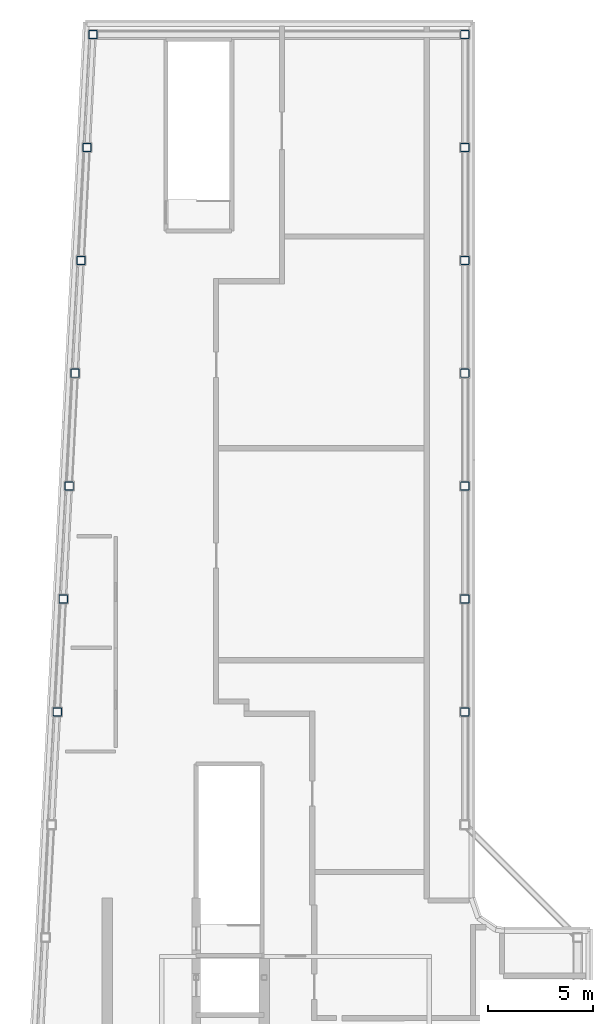
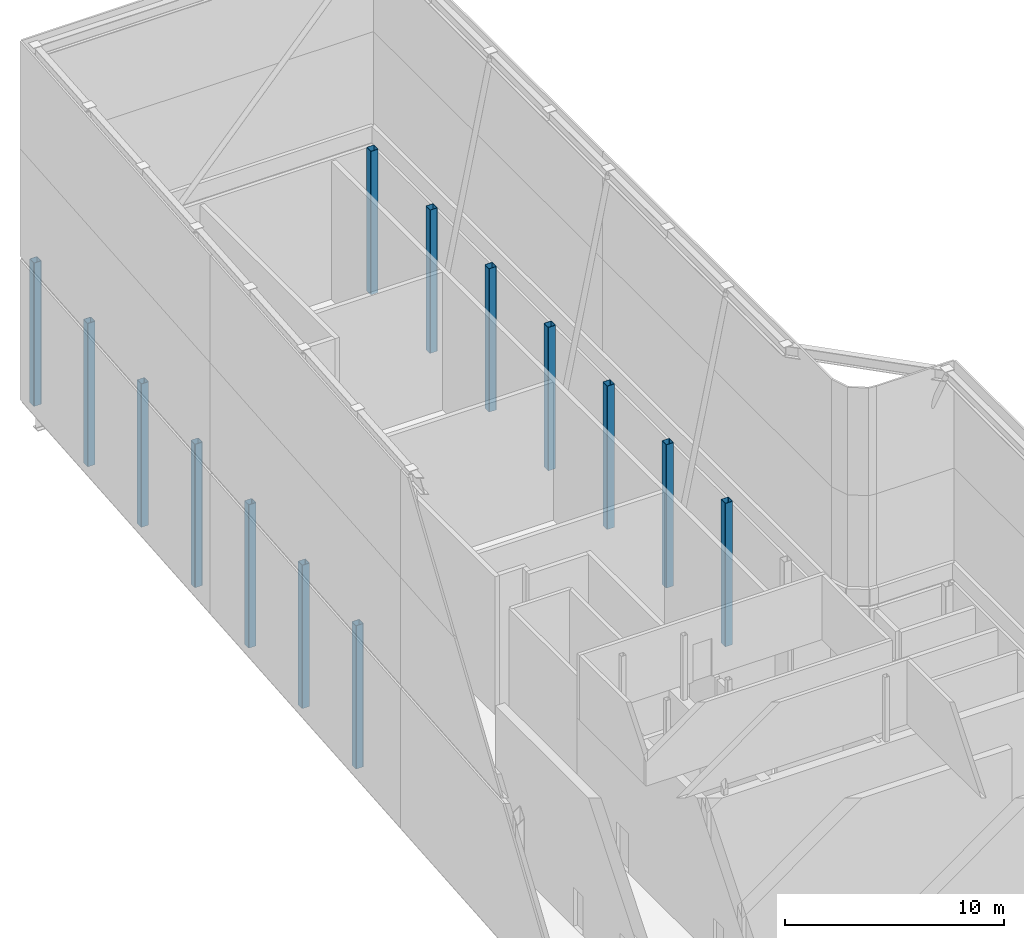
# One storey, part 2 of 7: 14 columns.
"""IFC4 building model written with IfcOpenShell, lengths in metres."""

from ifc_helpers import new_model, si_unit, direction, frame, origin, origin_2d, place, context, subcontext, project, spatial, hollow_rectangle, extrude, material, material_profile, profile_set, type_object, element, save


model = new_model("IFC4")

# Units and contexts
model_context = context("Model", 3, precision=1e-05, world=origin(), true_north=direction((0.0, 1.0)))
body_context = subcontext(model_context, "Body", "Model", "MODEL_VIEW")
ifc_project = project(units=[si_unit("LENGTHUNIT", "METRE"), si_unit("AREAUNIT", "SQUARE_METRE"), si_unit("VOLUMEUNIT", "CUBIC_METRE"), si_unit("PLANEANGLEUNIT", "RADIAN"), si_unit("MASSUNIT", "GRAM", prefix="KILO")], contexts=[model_context])

# Site, building, storey
site_placement = place(None, origin())
site = spatial("IfcSite", under=ifc_project, at=site_placement, CompositionType="ELEMENT")
building_placement = place(site_placement, origin())
building = spatial("IfcBuilding", under=site, at=building_placement, Name="Kheshtan School and Residences Tower", CompositionType="ELEMENT")
storey_placement = place(building_placement, frame((0.0, 0.0, 404.800048828125)))
storey = spatial("IfcBuildingStorey", under=building, at=storey_placement, Name="L94", CompositionType="ELEMENT", Elevation=404.800048828125)

# Columns
ifc_material = material(Name="Steel ASTM A500 Grade C", Category="steel")
ifc_material_profile = material_profile(ifc_material, hollow_rectangle(XDim=0.406005859375, YDim=0.406005859375, WallThickness=0.01904296875, InnerFilletRadius=0.01904296875, OuterFilletRadius=0.0380859375, at=origin_2d()), Name="HSS 406x406x19")
ifc_profile_set = profile_set([ifc_material_profile], Name="Steel ASTM A500 Grade C")
column_type = type_object("IfcColumnType", Name="Column CF1 HSS 406x406x19 ASTM A500 Grade C", PredefinedType="COLUMN", material=ifc_profile_set)
for number, where, z_axis, x_axis, name in (
    (1, (28.10595703125, 56.39990234375, 0.0), (0.0, 0.0, 1.0), (1.0, 0.0, 0.0), "Crown frame post C080"),
    (2, (47.60009765625, 56.39990234375, 0.0), (0.0, 0.0, 1.0), (1.0, 0.0, 0.0), "Crown frame post C081"),
    (3, (28.389892578125, 61.800048828125, 0.0), (0.0, 0.0, 1.0), (1.0, 0.0, 0.0), "Crown frame post C082"),
    (4, (47.60009765625, 61.800048828125, 0.0), (0.0, 0.0, 1.0), (1.0, 0.0, 0.0), "Crown frame post C083"),
    (5, (28.674072265625, 67.199951171875, 0.0), (0.0, 0.0, 1.0), (1.0, 0.0, 0.0), "Crown frame post C084"),
    (6, (47.60009765625, 67.199951171875, 0.0), (0.0, 0.0, 1.0), (1.0, 0.0, 0.0), "Crown frame post C085"),
    (7, (28.9580078125, 72.60009765625, 0.0), (0.0, 0.0, 1.0), (1.0, 0.0, 0.0), "Crown frame post C086"),
    (8, (47.60009765625, 72.60009765625, 0.0), (0.0, 0.0, 1.0), (1.0, 0.0, 0.0), "Crown frame post C087"),
    (9, (29.242919921875, 78.0, 0.0), (0.0, 0.0, 1.0), (1.0, 0.0, 0.0), "Crown frame post C088"),
    (10, (47.60009765625, 78.0, 0.0), (0.0, 0.0, 1.0), (1.0, 0.0, 0.0), "Crown frame post C089"),
    (11, (29.527099609375, 83.39990234375, 0.0), (0.0, 0.0, 1.0), (1.0, 0.0, 0.0), "Crown frame post C090"),
    (12, (47.60009765625, 83.39990234375, 0.0), (0.0, 0.0, 1.0), (1.0, 0.0, 0.0), "Crown frame post C091"),
    (13, (29.81103515625, 88.800048828125, 0.0), (0.0, 0.0, 1.0), (1.0, 0.0, 0.0), "Crown frame post C098"),
    (14, (47.60009765625, 88.800048828125, 0.0), (0.0, 0.0, 1.0), (1.0, 0.0, 0.0), "Crown frame post C099"),
):
    element("IfcColumn", number, at=place(storey_placement, frame(where, z_axis=z_axis, x_axis=x_axis)), inside=storey, type_object=column_type, Name=name, PredefinedType="COLUMN", context=body_context, shape_type="SweptSolid", body=[
        extrude(hollow_rectangle(XDim=0.406005859375, YDim=0.406005859375, WallThickness=0.01904296875, InnerFilletRadius=0.01904296875, OuterFilletRadius=0.0380859375, at=origin_2d()), origin(), (0.0, 0.0, 1.0), 8.0),
    ])

save(model, "model.ifc")
